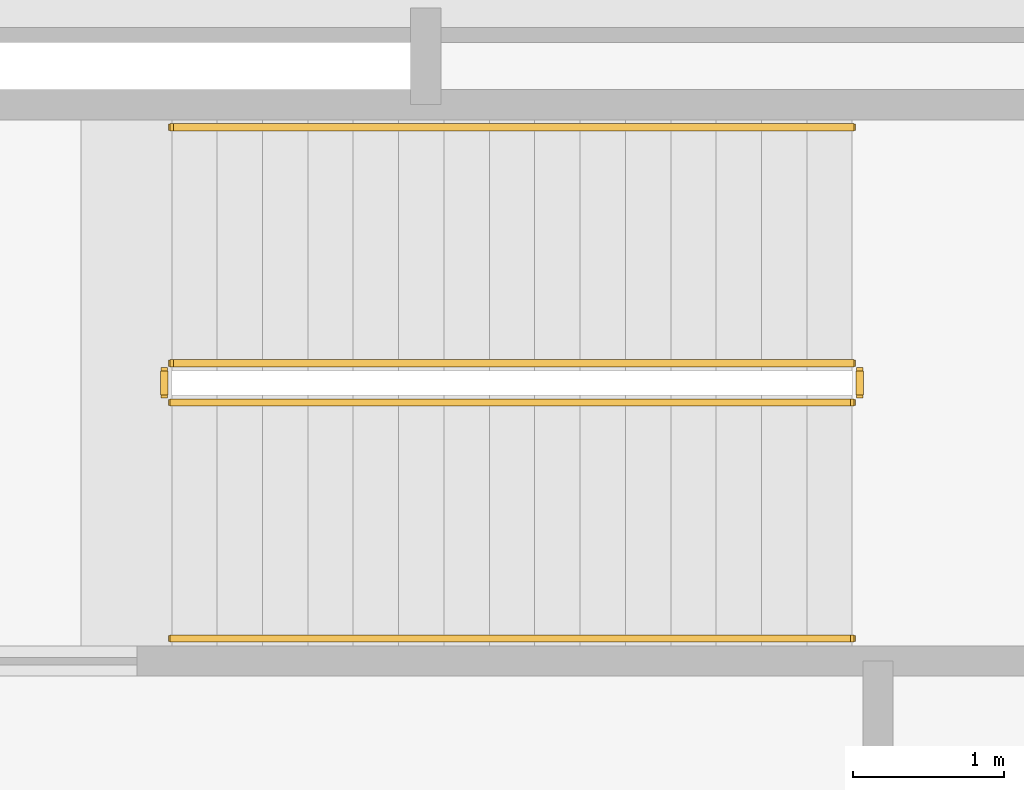
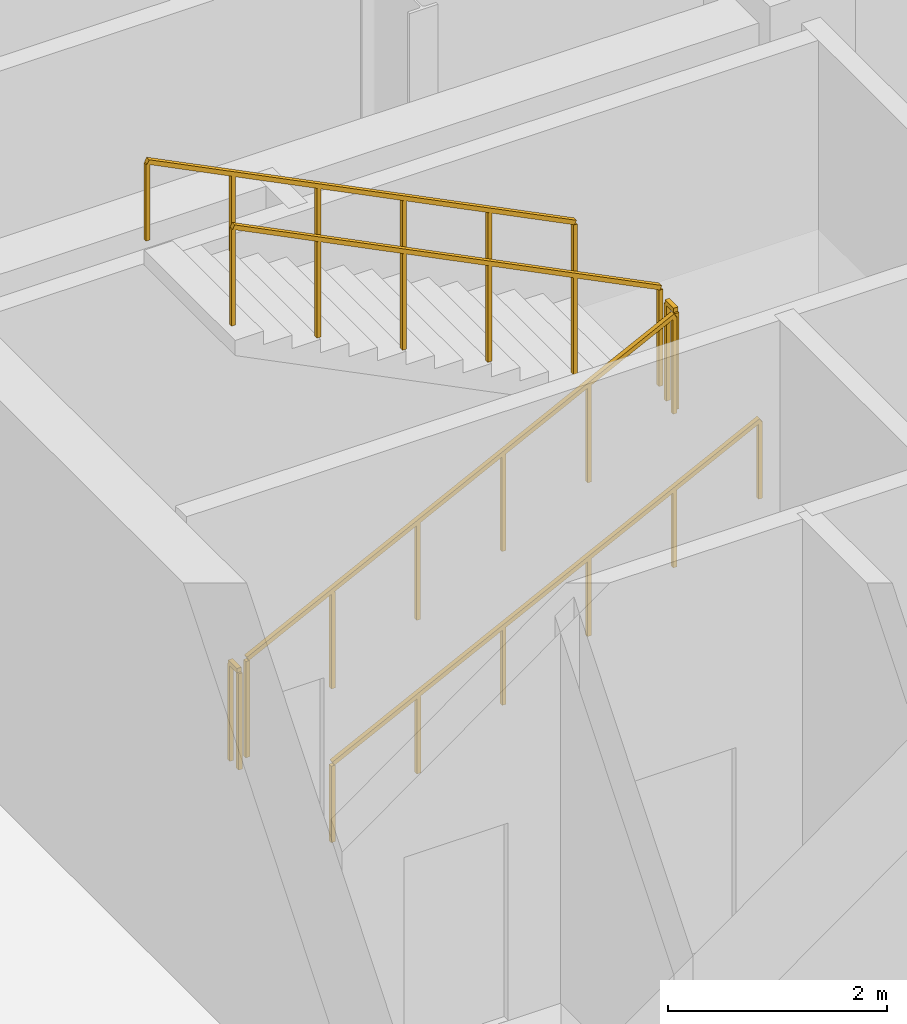
# One storey, part 21 of 22: 6 railings.
"""IFC4 building model written with IfcOpenShell, lengths in metres."""

from ifc_helpers import new_model, si_unit, direction, frame, origin, origin_2d, place, context, subcontext, project, spatial, rectangle, extrude, material, type_object, element, save


model = new_model("IFC4")

# Units and contexts
model_context = context("Model", 3, precision=1e-05, world=origin(), true_north=direction((0.0, 1.0)))
body_context = subcontext(model_context, "Body", "Model", "MODEL_VIEW")
ifc_project = project(units=[si_unit("LENGTHUNIT", "METRE"), si_unit("AREAUNIT", "SQUARE_METRE"), si_unit("VOLUMEUNIT", "CUBIC_METRE"), si_unit("PLANEANGLEUNIT", "RADIAN"), si_unit("MASSUNIT", "GRAM", prefix="KILO"), si_unit("THERMODYNAMICTEMPERATUREUNIT", "KELVIN"), si_unit("POWERUNIT", "WATT")], contexts=[model_context])

# Site, building, storey
site_placement = place(None, origin())
site = spatial("IfcSite", under=ifc_project, at=site_placement, CompositionType="ELEMENT")
building_placement = place(site_placement, origin())
building = spatial("IfcBuilding", under=site, at=building_placement, Name="Svarakhadi Broadcast Tower", CompositionType="ELEMENT")
storey_placement = place(building_placement, frame((0.0, 0.0, 199.199951171875)))
storey = spatial("IfcBuildingStorey", under=building, at=storey_placement, Name="L49", CompositionType="ELEMENT", Elevation=199.199951171875)

# Railings
ifc_material = material(Name="Anodised Bronze Aluminium AA 6063-T6", Category="aluminium")
railing_type_1 = type_object("IfcRailingType", Name="Guard_Stair_GR01", PredefinedType="GUARDRAIL", material=ifc_material)
railing_1_placement = place(storey_placement, frame((7.97998046875, 24.969970703125, 0.150146484375)))
element("IfcRailing", 1, at=railing_1_placement, inside=storey, type_object=railing_type_1, Name="L49 ST-01 stair guard 1", PredefinedType="GUARDRAIL", context=body_context, shape_type="SweptSolid", body=[
    extrude(rectangle(XDim=0.048095703125, YDim=0.048095703125, at=origin_2d()), frame((0.0, 0.0, 1.09619140625), z_axis=(0.894427191, 0.0, 0.4472135955), x_axis=(0.0, 1.0, 0.0)), (0.0, 0.0, 1.0), 5.03125),
    extrude(rectangle(XDim=0.0419921875, YDim=0.0419921875, at=origin_2d()), origin(), (0.0, 0.0, 1.0), 1.072021484375),
    extrude(rectangle(XDim=0.0419921875, YDim=0.0419921875, at=origin_2d()), frame((0.89990234375, 0.0, 0.449951171875)), (0.0, 0.0, 1.0), 1.072021484375),
    extrude(rectangle(XDim=0.0419921875, YDim=0.0419921875, at=origin_2d()), frame((1.800048828125, 0.0, 0.89990234375)), (0.0, 0.0, 1.0), 1.072021484375),
    extrude(rectangle(XDim=0.0419921875, YDim=0.0419921875, at=origin_2d()), frame((2.699951171875, 0.0, 1.35009765625)), (0.0, 0.0, 1.0), 1.072021484375),
    extrude(rectangle(XDim=0.0419921875, YDim=0.0419921875, at=origin_2d()), frame((3.60009765625, 0.0, 1.800048828125)), (0.0, 0.0, 1.0), 1.072021484375),
    extrude(rectangle(XDim=0.0419921875, YDim=0.0419921875, at=origin_2d()), frame((4.5, 0.0, 2.25)), (0.0, 0.0, 1.0), 1.072021484375),
])
railing_2_placement = place(storey_placement, frame((12.530029296875, 25.02001953125, 2.400146484375)))
element("IfcRailing", 2, at=railing_2_placement, inside=storey, type_object=railing_type_1, Name="L49 ST-01 stair guard 2", PredefinedType="GUARDRAIL", context=body_context, shape_type="SweptSolid", body=[
    extrude(rectangle(XDim=0.048095703125, YDim=0.048095703125, at=origin_2d()), frame((0.0, 0.0, 1.09619140625), z_axis=(0.0, 1.0, 0.0), x_axis=(-1.0, 0.0, 0.0)), (0.0, 0.0, 1.0), 0.159912109375),
    extrude(rectangle(XDim=0.0419921875, YDim=0.0419921875, at=origin_2d()), origin(), (0.0, 0.0, 1.0), 1.072021484375),
    extrude(rectangle(XDim=0.0419921875, YDim=0.0419921875, at=origin_2d()), frame((0.0, 0.159912109375, 0.0)), (0.0, 0.0, 1.0), 1.072021484375),
])
railing_3_placement = place(storey_placement, frame((12.47998046875, 25.22998046875, 2.550048828125)))
element("IfcRailing", 3, at=railing_3_placement, inside=storey, type_object=railing_type_1, Name="L49 ST-01 stair guard 3", PredefinedType="GUARDRAIL", context=body_context, shape_type="SweptSolid", body=[
    extrude(rectangle(XDim=0.048095703125, YDim=0.048095703125, at=origin_2d()), frame((0.0, 0.0, 1.09619140625), z_axis=(-0.894427191, 0.0, 0.4472135955), x_axis=(0.0, -1.0, 0.0)), (0.0, 0.0, 1.0), 5.03125),
    extrude(rectangle(XDim=0.0419921875, YDim=0.0419921875, at=origin_2d()), origin(), (0.0, 0.0, 1.0), 1.072021484375),
    extrude(rectangle(XDim=0.0419921875, YDim=0.0419921875, at=origin_2d()), frame((-0.89990234375, 0.0, 0.449951171875)), (0.0, 0.0, 1.0), 1.072021484375),
    extrude(rectangle(XDim=0.0419921875, YDim=0.0419921875, at=origin_2d()), frame((-1.800048828125, 0.0, 0.89990234375)), (0.0, 0.0, 1.0), 1.072021484375),
    extrude(rectangle(XDim=0.0419921875, YDim=0.0419921875, at=origin_2d()), frame((-2.699951171875, 0.0, 1.35009765625)), (0.0, 0.0, 1.0), 1.072021484375),
    extrude(rectangle(XDim=0.0419921875, YDim=0.0419921875, at=origin_2d()), frame((-3.60009765625, 0.0, 1.800048828125)), (0.0, 0.0, 1.0), 1.072021484375),
    extrude(rectangle(XDim=0.0419921875, YDim=0.0419921875, at=origin_2d()), frame((-4.5, 0.0, 2.25)), (0.0, 0.0, 1.0), 1.072021484375),
])
railing_4_placement = place(storey_placement, frame((7.929931640625, 25.02001953125, 0.0)))
element("IfcRailing", 4, at=railing_4_placement, inside=storey, type_object=railing_type_1, Name="L49 ST-01 stair guard 4", PredefinedType="GUARDRAIL", context=body_context, shape_type="SweptSolid", body=[
    extrude(rectangle(XDim=0.048095703125, YDim=0.048095703125, at=origin_2d()), frame((0.0, 0.0, 1.09619140625), z_axis=(0.0, 1.0, 0.0), x_axis=(-1.0, 0.0, 0.0)), (0.0, 0.0, 1.0), 0.159912109375),
    extrude(rectangle(XDim=0.0419921875, YDim=0.0419921875, at=origin_2d()), origin(), (0.0, 0.0, 1.0), 1.072021484375),
    extrude(rectangle(XDim=0.0419921875, YDim=0.0419921875, at=origin_2d()), frame((0.0, 0.159912109375, 0.0)), (0.0, 0.0, 1.0), 1.072021484375),
])
railing_type_2 = type_object("IfcRailingType", Name="Handrail_Stair_HR01", PredefinedType="HANDRAIL", material=ifc_material)
railing_5_placement = place(storey_placement, frame((7.97998046875, 23.409912109375, 0.150146484375)))
element("IfcRailing", 5, at=railing_5_placement, inside=storey, type_object=railing_type_2, Name="L49 ST-01 stair handrail 1", PredefinedType="HANDRAIL", context=body_context, shape_type="SweptSolid", body=[
    extrude(rectangle(XDim=0.048095703125, YDim=0.048095703125, at=origin_2d()), frame((0.0, 0.0, 0.8759765625), z_axis=(0.894427191, 0.0, 0.4472135955), x_axis=(0.0, 1.0, 0.0)), (0.0, 0.0, 1.0), 5.03125),
    extrude(rectangle(XDim=0.0419921875, YDim=0.0419921875, at=origin_2d()), origin(), (0.0, 0.0, 1.0), 0.851806640625),
    extrude(rectangle(XDim=0.0419921875, YDim=0.0419921875, at=origin_2d()), frame((0.89990234375, 0.0, 0.449951171875)), (0.0, 0.0, 1.0), 0.851806640625),
    extrude(rectangle(XDim=0.0419921875, YDim=0.0419921875, at=origin_2d()), frame((1.800048828125, 0.0, 0.89990234375)), (0.0, 0.0, 1.0), 0.851806640625),
    extrude(rectangle(XDim=0.0419921875, YDim=0.0419921875, at=origin_2d()), frame((2.699951171875, 0.0, 1.35009765625)), (0.0, 0.0, 1.0), 0.851806640625),
    extrude(rectangle(XDim=0.0419921875, YDim=0.0419921875, at=origin_2d()), frame((3.60009765625, 0.0, 1.800048828125)), (0.0, 0.0, 1.0), 0.851806640625),
    extrude(rectangle(XDim=0.0419921875, YDim=0.0419921875, at=origin_2d()), frame((4.5, 0.0, 2.25)), (0.0, 0.0, 1.0), 0.851806640625),
])
railing_6_placement = place(storey_placement, frame((12.47998046875, 26.7900390625, 2.550048828125)))
element("IfcRailing", 6, at=railing_6_placement, inside=storey, type_object=railing_type_2, Name="L49 ST-01 stair handrail 2", PredefinedType="HANDRAIL", context=body_context, shape_type="SweptSolid", body=[
    extrude(rectangle(XDim=0.048095703125, YDim=0.048095703125, at=origin_2d()), frame((0.0, 0.0, 0.8759765625), z_axis=(-0.894427191, 0.0, 0.4472135955), x_axis=(0.0, -1.0, 0.0)), (0.0, 0.0, 1.0), 5.03125),
    extrude(rectangle(XDim=0.0419921875, YDim=0.0419921875, at=origin_2d()), origin(), (0.0, 0.0, 1.0), 0.851806640625),
    extrude(rectangle(XDim=0.0419921875, YDim=0.0419921875, at=origin_2d()), frame((-0.89990234375, 0.0, 0.449951171875)), (0.0, 0.0, 1.0), 0.851806640625),
    extrude(rectangle(XDim=0.0419921875, YDim=0.0419921875, at=origin_2d()), frame((-1.800048828125, 0.0, 0.89990234375)), (0.0, 0.0, 1.0), 0.851806640625),
    extrude(rectangle(XDim=0.0419921875, YDim=0.0419921875, at=origin_2d()), frame((-2.699951171875, 0.0, 1.35009765625)), (0.0, 0.0, 1.0), 0.851806640625),
    extrude(rectangle(XDim=0.0419921875, YDim=0.0419921875, at=origin_2d()), frame((-3.60009765625, 0.0, 1.800048828125)), (0.0, 0.0, 1.0), 0.851806640625),
    extrude(rectangle(XDim=0.0419921875, YDim=0.0419921875, at=origin_2d()), frame((-4.5, 0.0, 2.25)), (0.0, 0.0, 1.0), 0.851806640625),
])

save(model, "model.ifc")
